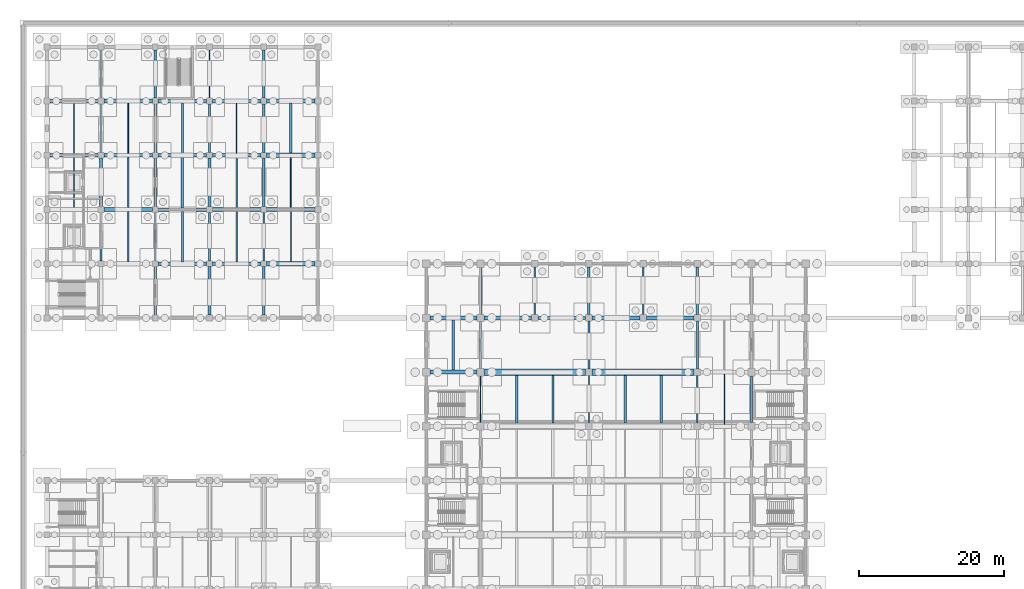
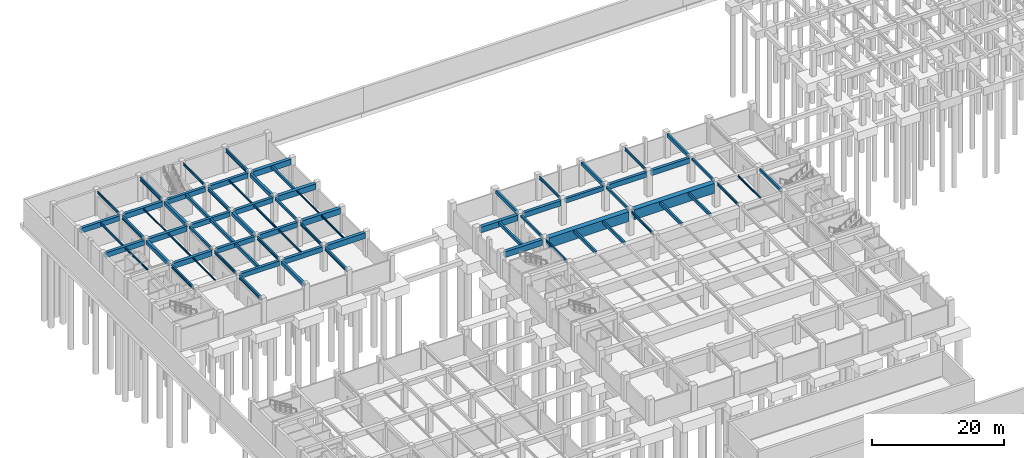
# One storey, part 17 of 38: 76 beams.
"""IFC4 building model written with IfcOpenShell, lengths in metres."""

from ifc_helpers import new_model, si_unit, direction, frame, origin, origin_2d, place, context, subcontext, project, spatial, rectangle, i_section, extrude, material, material_profile, profile_set, type_object, element, save


model = new_model("IFC4")

# Units and contexts
model_context = context("Model", 3, precision=1e-05, world=origin(), true_north=direction((0.0, 1.0)))
body_context = subcontext(model_context, "Body", "Model", "MODEL_VIEW")
ifc_project = project(units=[si_unit("LENGTHUNIT", "METRE"), si_unit("AREAUNIT", "SQUARE_METRE"), si_unit("VOLUMEUNIT", "CUBIC_METRE"), si_unit("PLANEANGLEUNIT", "RADIAN"), si_unit("MASSUNIT", "GRAM", prefix="KILO")], contexts=[model_context])

# Site, building, storey
site_placement = place(None, origin())
site = spatial("IfcSite", under=ifc_project, at=site_placement, CompositionType="ELEMENT")
building_placement = place(site_placement, origin())
building = spatial("IfcBuilding", under=site, at=building_placement, Name="Qasida Concert Hall", CompositionType="ELEMENT")
storey_placement = place(building_placement, frame((0.0, 0.0, -4.800048828125)))
storey = spatial("IfcBuildingStorey", under=building, at=storey_placement, Name="B1", CompositionType="ELEMENT", Elevation=-4.800048828125)

# Beams
ifc_material_1 = material(Name="Concrete C40/50", Category="concrete")
ifc_material_profile_1 = material_profile(ifc_material_1, rectangle(XDim=0.39990234375, YDim=0.64990234375, at=origin_2d()), Name="RC 400x650")
ifc_profile_set_1 = profile_set([ifc_material_profile_1], Name="Concrete C40/50")
beam_type_1 = type_object("IfcBeamType", Name="BM-B1", PredefinedType="BEAM", material=ifc_profile_set_1)
for number, where, z_axis, x_axis, name in (
    (1, (15.0, 97.89990234375, 4.175048828125), (0.0, 1.0, 0.0), (-1.0, 0.0, 0.0), "B1 girder 0324"),
    (2, (22.5, 75.39990234375, 4.175048828125), (0.0, 1.0, 0.0), (-1.0, 0.0, 0.0), "B1 girder 0326"),
    (3, (30.0, 97.89990234375, 4.175048828125), (0.0, 1.0, 0.0), (-1.0, 0.0, 0.0), "B1 girder 0334"),
):
    element("IfcBeam", number, at=place(storey_placement, frame(where, z_axis=z_axis, x_axis=x_axis)), inside=storey, type_object=beam_type_1, Name=name, PredefinedType="BEAM", context=body_context, shape_type="SweptSolid", body=[
        extrude(rectangle(XDim=0.39990234375, YDim=0.64990234375, at=origin_2d()), origin(), (0.0, 0.0, 1.0), 6.7001953125),
    ])
ifc_material_profile_2 = material_profile(ifc_material_1, rectangle(XDim=0.419921875, YDim=0.699951171875, at=origin_2d()), Name="RC 420x700")
ifc_profile_set_2 = profile_set([ifc_material_profile_2], Name="Concrete C40/50")
beam_type_2 = type_object("IfcBeamType", Name="BM-B11", PredefinedType="BEAM", material=ifc_profile_set_2)
for number, where, z_axis, x_axis, name in (
    (4, (7.5, 90.39990234375, 4.150146484375), (0.0, 1.0, 0.0), (-1.0, 0.0, 0.0), "B1 girder 0318"),
    (5, (22.5, 90.39990234375, 4.150146484375), (0.0, 1.0, 0.0), (-1.0, 0.0, 0.0), "B1 girder 0328"),
):
    element("IfcBeam", number, at=place(storey_placement, frame(where, z_axis=z_axis, x_axis=x_axis)), inside=storey, type_object=beam_type_2, Name=name, PredefinedType="BEAM", context=body_context, shape_type="SweptSolid", body=[
        extrude(rectangle(XDim=0.419921875, YDim=0.699951171875, at=origin_2d()), origin(), (0.0, 0.0, 1.0), 6.7001953125),
    ])
ifc_material_2 = material(Name="Steel S355J2", Category="steel")
ifc_material_profile_3 = material_profile(ifc_material_2, i_section(OverallWidth=0.300048828125, OverallDepth=0.550048828125, WebThickness=0.014892578125, FlangeThickness=0.029052734375, FilletRadius=0.027099609375, at=origin_2d()), Name="HEB 550")
ifc_profile_set_3 = profile_set([ifc_material_profile_3], Name="Steel S355J2")
beam_type_3 = type_object("IfcBeamType", Name="BM-B12", PredefinedType="BEAM", material=ifc_profile_set_3)
for number, where, z_axis, x_axis, name in (
    (6, (7.5, 82.89990234375, 4.22509765625), (0.0, 1.0, 0.0), (-1.0, 0.0, 0.0), "B1 girder 0317"),
    (7, (22.5, 82.89990234375, 4.22509765625), (0.0, 1.0, 0.0), (-1.0, 0.0, 0.0), "B1 girder 0327"),
):
    element("IfcBeam", number, at=place(storey_placement, frame(where, z_axis=z_axis, x_axis=x_axis)), inside=storey, type_object=beam_type_3, Name=name, PredefinedType="BEAM", context=body_context, shape_type="SweptSolid", body=[
        extrude(i_section(OverallWidth=0.300048828125, OverallDepth=0.550048828125, WebThickness=0.014892578125, FlangeThickness=0.029052734375, FilletRadius=0.027099609375, at=origin_2d()), origin(), (0.0, 0.0, 1.0), 6.7001953125),
    ])
ifc_material_profile_4 = material_profile(ifc_material_2, i_section(OverallWidth=0.300048828125, OverallDepth=0.64990234375, WebThickness=0.01611328125, FlangeThickness=0.031005859375, FilletRadius=0.027099609375, at=origin_2d()), Name="HEB 650")
ifc_profile_set_4 = profile_set([ifc_material_profile_4], Name="Steel S355J2")
beam_type_4 = type_object("IfcBeamType", Name="BM-B13", PredefinedType="BEAM", material=ifc_profile_set_4)
for number, where, z_axis, x_axis, name in (
    (8, (15.0, 105.39990234375, 4.175048828125), (0.0, 1.0, 0.0), (-1.0, 0.0, 0.0), "B1 girder 0325"),
    (9, (30.0, 105.39990234375, 4.175048828125), (0.0, 1.0, 0.0), (-1.0, 0.0, 0.0), "B1 girder 0335"),
):
    element("IfcBeam", number, at=place(storey_placement, frame(where, z_axis=z_axis, x_axis=x_axis)), inside=storey, type_object=beam_type_4, Name=name, PredefinedType="BEAM", context=body_context, shape_type="SweptSolid", body=[
        extrude(i_section(OverallWidth=0.300048828125, OverallDepth=0.64990234375, WebThickness=0.01611328125, FlangeThickness=0.031005859375, FilletRadius=0.027099609375, at=origin_2d()), origin(), (0.0, 0.0, 1.0), 6.7001953125),
    ])
ifc_material_profile_5 = material_profile(ifc_material_1, rectangle(XDim=0.35009765625, YDim=0.60009765625, at=origin_2d()), Name="RC 350x600")
ifc_profile_set_5 = profile_set([ifc_material_profile_5], Name="Concrete C40/50")
beam_type_5 = type_object("IfcBeamType", Name="BM-B2", PredefinedType="BEAM", material=ifc_profile_set_5)
beam_1_placement = place(storey_placement, frame((60.0, 75.5, 4.199951171875), z_axis=(0.0, 1.0, 0.0), x_axis=(-1.0, 0.0, 0.0)))
element("IfcBeam", 10, at=beam_1_placement, inside=storey, type_object=beam_type_5, Name="B1 girder 0047", PredefinedType="BEAM", context=body_context, shape_type="SweptSolid", body=[
    extrude(rectangle(XDim=0.35009765625, YDim=0.60009765625, at=origin_2d()), origin(), (0.0, 0.0, 1.0), 6.5),
])
for number, where, z_axis, x_axis, name in (
    (11, (75.0, 75.449951171875, 4.199951171875), (0.0, 1.0, 0.0), (-1.0, 0.0, 0.0), "B1 girder 0057"),
    (12, (90.0, 75.449951171875, 4.199951171875), (0.0, 1.0, 0.0), (-1.0, 0.0, 0.0), "B1 girder 0067"),
):
    element("IfcBeam", number, at=place(storey_placement, frame(where, z_axis=z_axis, x_axis=x_axis)), inside=storey, type_object=beam_type_5, Name=name, PredefinedType="BEAM", context=body_context, shape_type="SweptSolid", body=[
        extrude(rectangle(XDim=0.35009765625, YDim=0.60009765625, at=origin_2d()), origin(), (0.0, 0.0, 1.0), 6.60009765625),
    ])
ifc_material_profile_6 = material_profile(ifc_material_1, rectangle(XDim=0.300048828125, YDim=0.449951171875, at=origin_2d()), Name="RC 300x450")
ifc_profile_set_6 = profile_set([ifc_material_profile_6], Name="Concrete C40/50")
beam_type_6 = type_object("IfcBeamType", Name="BM-B3", PredefinedType="BEAM", material=ifc_profile_set_6)
beam_2_placement = place(storey_placement, frame((60.0, 68.0, 4.275146484375), z_axis=(0.0, 1.0, 0.0), x_axis=(-1.0, 0.0, 0.0)))
element("IfcBeam", 13, at=beam_2_placement, inside=storey, type_object=beam_type_6, Name="B1 girder 0046", PredefinedType="BEAM", context=body_context, shape_type="SweptSolid", body=[
    extrude(rectangle(XDim=0.300048828125, YDim=0.449951171875, at=origin_2d()), origin(), (0.0, 0.0, 1.0), 6.5),
])
for number, where, z_axis, x_axis, name in (
    (14, (75.0, 67.949951171875, 4.275146484375), (0.0, 1.0, 0.0), (-1.0, 0.0, 0.0), "B1 girder 0056"),
    (15, (90.0, 67.949951171875, 4.275146484375), (0.0, 1.0, 0.0), (-1.0, 0.0, 0.0), "B1 girder 0066"),
):
    element("IfcBeam", number, at=place(storey_placement, frame(where, z_axis=z_axis, x_axis=x_axis)), inside=storey, type_object=beam_type_6, Name=name, PredefinedType="BEAM", context=body_context, shape_type="SweptSolid", body=[
        extrude(rectangle(XDim=0.300048828125, YDim=0.449951171875, at=origin_2d()), origin(), (0.0, 0.0, 1.0), 6.60009765625),
    ])
beam_3_placement = place(storey_placement, frame((97.5, 60.5, 4.275146484375), z_axis=(0.0, 1.0, 0.0), x_axis=(-1.0, 0.0, 0.0)))
element("IfcBeam", 16, at=beam_3_placement, inside=storey, type_object=beam_type_6, Name="B1 girder 0073", PredefinedType="BEAM", context=body_context, shape_type="SweptSolid", body=[
    extrude(rectangle(XDim=0.300048828125, YDim=0.449951171875, at=origin_2d()), origin(), (0.0, 0.0, 1.0), 6.5),
])
for number, where, z_axis, x_axis, name in (
    (17, (15.0, 90.39990234375, 4.275146484375), (0.0, 1.0, 0.0), (-1.0, 0.0, 0.0), "B1 girder 0323"),
    (18, (30.0, 90.39990234375, 4.275146484375), (0.0, 1.0, 0.0), (-1.0, 0.0, 0.0), "B1 girder 0333"),
):
    element("IfcBeam", number, at=place(storey_placement, frame(where, z_axis=z_axis, x_axis=x_axis)), inside=storey, type_object=beam_type_6, Name=name, PredefinedType="BEAM", context=body_context, shape_type="SweptSolid", body=[
        extrude(rectangle(XDim=0.300048828125, YDim=0.449951171875, at=origin_2d()), origin(), (0.0, 0.0, 1.0), 6.7001953125),
    ])
ifc_material_profile_7 = material_profile(ifc_material_2, i_section(OverallWidth=0.199951171875, OverallDepth=0.5, WebThickness=0.01025390625, FlangeThickness=0.01611328125, FilletRadius=0.02099609375, at=origin_2d()), Name="IPE 500")
ifc_profile_set_7 = profile_set([ifc_material_profile_7], Name="Steel S355J2")
beam_type_7 = type_object("IfcBeamType", Name="BM-B4", PredefinedType="BEAM", material=ifc_profile_set_7)
for number, where, z_axis, x_axis, name in (
    (19, (67.5, 75.449951171875, 4.25), (0.0, 1.0, 0.0), (-1.0, 0.0, 0.0), "B1 girder 0049"),
    (20, (82.5, 75.449951171875, 4.25), (0.0, 1.0, 0.0), (-1.0, 0.0, 0.0), "B1 girder 0059"),
):
    element("IfcBeam", number, at=place(storey_placement, frame(where, z_axis=z_axis, x_axis=x_axis)), inside=storey, type_object=beam_type_7, Name=name, PredefinedType="BEAM", context=body_context, shape_type="SweptSolid", body=[
        extrude(i_section(OverallWidth=0.199951171875, OverallDepth=0.5, WebThickness=0.01025390625, FlangeThickness=0.01611328125, FilletRadius=0.02099609375, at=origin_2d()), origin(), (0.0, 0.0, 1.0), 6.60009765625),
    ])
for number, where, z_axis, x_axis, name in (
    (21, (15.0, 82.89990234375, 4.25), (0.0, 1.0, 0.0), (-1.0, 0.0, 0.0), "B1 girder 0322"),
    (22, (30.0, 82.89990234375, 4.25), (0.0, 1.0, 0.0), (-1.0, 0.0, 0.0), "B1 girder 0332"),
):
    element("IfcBeam", number, at=place(storey_placement, frame(where, z_axis=z_axis, x_axis=x_axis)), inside=storey, type_object=beam_type_7, Name=name, PredefinedType="BEAM", context=body_context, shape_type="SweptSolid", body=[
        extrude(i_section(OverallWidth=0.199951171875, OverallDepth=0.5, WebThickness=0.01025390625, FlangeThickness=0.01611328125, FilletRadius=0.02099609375, at=origin_2d()), origin(), (0.0, 0.0, 1.0), 6.7001953125),
    ])
ifc_material_profile_8 = material_profile(ifc_material_2, i_section(OverallWidth=0.18994140625, OverallDepth=0.449951171875, WebThickness=0.009521484375, FlangeThickness=0.0146484375, FilletRadius=0.02099609375, at=origin_2d()), Name="IPE 450")
ifc_profile_set_8 = profile_set([ifc_material_profile_8], Name="Steel S355J2")
beam_type_8 = type_object("IfcBeamType", Name="BM-B5", PredefinedType="BEAM", material=ifc_profile_set_8)
beam_4_placement = place(storey_placement, frame((60.0, 60.5, 4.275146484375), z_axis=(0.0, 1.0, 0.0), x_axis=(-1.0, 0.0, 0.0)))
element("IfcBeam", 23, at=beam_4_placement, inside=storey, type_object=beam_type_8, Name="B1 girder 0045", PredefinedType="BEAM", context=body_context, shape_type="SweptSolid", body=[
    extrude(i_section(OverallWidth=0.18994140625, OverallDepth=0.449951171875, WebThickness=0.009521484375, FlangeThickness=0.0146484375, FilletRadius=0.02099609375, at=origin_2d()), origin(), (0.0, 0.0, 1.0), 6.5),
])
for number, where, z_axis, x_axis, name in (
    (24, (75.0, 60.449951171875, 4.275146484375), (0.0, 1.0, 0.0), (-1.0, 0.0, 0.0), "B1 girder 0055"),
    (25, (90.0, 60.449951171875, 4.275146484375), (0.0, 1.0, 0.0), (-1.0, 0.0, 0.0), "B1 girder 0065"),
):
    element("IfcBeam", number, at=place(storey_placement, frame(where, z_axis=z_axis, x_axis=x_axis)), inside=storey, type_object=beam_type_8, Name=name, PredefinedType="BEAM", context=body_context, shape_type="SweptSolid", body=[
        extrude(i_section(OverallWidth=0.18994140625, OverallDepth=0.449951171875, WebThickness=0.009521484375, FlangeThickness=0.0146484375, FilletRadius=0.02099609375, at=origin_2d()), origin(), (0.0, 0.0, 1.0), 6.60009765625),
    ])
for number, where, z_axis, x_axis, name in (
    (26, (7.5, 105.39990234375, 4.275146484375), (0.0, 1.0, 0.0), (-1.0, 0.0, 0.0), "B1 girder 0320"),
    (27, (22.5, 105.39990234375, 4.275146484375), (0.0, 1.0, 0.0), (-1.0, 0.0, 0.0), "B1 girder 0330"),
):
    element("IfcBeam", number, at=place(storey_placement, frame(where, z_axis=z_axis, x_axis=x_axis)), inside=storey, type_object=beam_type_8, Name=name, PredefinedType="BEAM", context=body_context, shape_type="SweptSolid", body=[
        extrude(i_section(OverallWidth=0.18994140625, OverallDepth=0.449951171875, WebThickness=0.009521484375, FlangeThickness=0.0146484375, FilletRadius=0.02099609375, at=origin_2d()), origin(), (0.0, 0.0, 1.0), 6.7001953125),
    ])
ifc_material_profile_9 = material_profile(ifc_material_2, i_section(OverallWidth=0.300048828125, OverallDepth=0.60009765625, WebThickness=0.015380859375, FlangeThickness=0.030029296875, FilletRadius=0.027099609375, at=origin_2d()), Name="HEB 600")
ifc_profile_set_9 = profile_set([ifc_material_profile_9], Name="Steel S355J2")
beam_type_9 = type_object("IfcBeamType", Name="BM-B6", PredefinedType="BEAM", material=ifc_profile_set_9)
for number, where, z_axis, x_axis, name in (
    (28, (7.5, 97.89990234375, 4.199951171875), (0.0, 1.0, 0.0), (-1.0, 0.0, 0.0), "B1 girder 0319"),
    (29, (15.0, 75.39990234375, 4.199951171875), (0.0, 1.0, 0.0), (-1.0, 0.0, 0.0), "B1 girder 0321"),
    (30, (22.5, 97.89990234375, 4.199951171875), (0.0, 1.0, 0.0), (-1.0, 0.0, 0.0), "B1 girder 0329"),
    (31, (30.0, 75.39990234375, 4.199951171875), (0.0, 1.0, 0.0), (-1.0, 0.0, 0.0), "B1 girder 0331"),
):
    element("IfcBeam", number, at=place(storey_placement, frame(where, z_axis=z_axis, x_axis=x_axis)), inside=storey, type_object=beam_type_9, Name=name, PredefinedType="BEAM", context=body_context, shape_type="SweptSolid", body=[
        extrude(i_section(OverallWidth=0.300048828125, OverallDepth=0.60009765625, WebThickness=0.015380859375, FlangeThickness=0.030029296875, FilletRadius=0.027099609375, at=origin_2d()), origin(), (0.0, 0.0, 1.0), 6.7001953125),
    ])
ifc_material_profile_10 = material_profile(ifc_material_1, rectangle(XDim=0.5, YDim=0.89990234375, at=origin_2d()), Name="RC 500x900")
ifc_profile_set_10 = profile_set([ifc_material_profile_10], Name="Concrete C40/50")
beam_type_10 = type_object("IfcBeamType", Name="BM-G1", PredefinedType="USERDEFINED", material=ifc_profile_set_10)
beam_5_placement = place(storey_placement, frame((75.449951171875, 75.0, 4.050048828125), z_axis=(1.0, 0.0, 0.0), x_axis=(0.0, 1.0, 0.0)))
element("IfcBeam", 32, at=beam_5_placement, inside=storey, type_object=beam_type_10, Name="Primary girder 0036", ObjectType="GIRDER", PredefinedType="USERDEFINED", context=body_context, shape_type="SweptSolid", body=[
    extrude(rectangle(XDim=0.5, YDim=0.89990234375, at=origin_2d()), origin(), (0.0, 0.0, 1.0), 6.60009765625),
])
for number, where, z_axis, x_axis, name in (
    (33, (22.89990234375, 82.5, 4.050048828125), (1.0, 0.0, 0.0), (0.0, 1.0, 0.0), "Primary girder 0299"),
    (34, (22.89990234375, 90.0, 4.050048828125), (1.0, 0.0, 0.0), (0.0, 1.0, 0.0), "Primary girder 0304"),
    (35, (0.39990234375, 97.5, 4.050048828125), (1.0, 0.0, 0.0), (0.0, 1.0, 0.0), "Primary girder 0306"),
    (36, (22.89990234375, 97.5, 4.050048828125), (1.0, 0.0, 0.0), (0.0, 1.0, 0.0), "Primary girder 0309"),
    (37, (0.39990234375, 105.0, 4.050048828125), (1.0, 0.0, 0.0), (0.0, 1.0, 0.0), "Primary girder 0311"),
    (38, (22.89990234375, 105.0, 4.050048828125), (1.0, 0.0, 0.0), (0.0, 1.0, 0.0), "Primary girder 0314"),
):
    element("IfcBeam", number, at=place(storey_placement, frame(where, z_axis=z_axis, x_axis=x_axis)), inside=storey, type_object=beam_type_10, Name=name, ObjectType="GIRDER", PredefinedType="USERDEFINED", context=body_context, shape_type="SweptSolid", body=[
        extrude(rectangle(XDim=0.5, YDim=0.89990234375, at=origin_2d()), origin(), (0.0, 0.0, 1.0), 6.7001953125),
    ])
ifc_material_profile_11 = material_profile(ifc_material_1, rectangle(XDim=0.449951171875, YDim=0.800048828125, at=origin_2d()), Name="RC 450x800")
ifc_profile_set_11 = profile_set([ifc_material_profile_11], Name="Concrete C40/50")
beam_type_11 = type_object("IfcBeamType", Name="BM-G2", PredefinedType="USERDEFINED", material=ifc_profile_set_11)
beam_6_placement = place(storey_placement, frame((67.949951171875, 75.0, 4.10009765625), z_axis=(1.0, 0.0, 0.0), x_axis=(0.0, 1.0, 0.0)))
element("IfcBeam", 39, at=beam_6_placement, inside=storey, type_object=beam_type_11, Name="Primary girder 0035", ObjectType="GIRDER", PredefinedType="USERDEFINED", context=body_context, shape_type="SweptSolid", body=[
    extrude(rectangle(XDim=0.449951171875, YDim=0.800048828125, at=origin_2d()), origin(), (0.0, 0.0, 1.0), 6.60009765625),
])
ifc_material_profile_12 = material_profile(ifc_material_1, rectangle(XDim=0.47998046875, YDim=0.85009765625, at=origin_2d()), Name="RC 480x850")
ifc_profile_set_12 = profile_set([ifc_material_profile_12], Name="Concrete C40/50")
beam_type_12 = type_object("IfcBeamType", Name="BM-G6", PredefinedType="USERDEFINED", material=ifc_profile_set_12)
for number, where, z_axis, x_axis, name in (
    (40, (15.39990234375, 82.5, 4.074951171875), (1.0, 0.0, 0.0), (0.0, 1.0, 0.0), "Primary girder 0298"),
    (41, (15.39990234375, 90.0, 4.074951171875), (1.0, 0.0, 0.0), (0.0, 1.0, 0.0), "Primary girder 0303"),
    (42, (15.39990234375, 97.5, 4.074951171875), (1.0, 0.0, 0.0), (0.0, 1.0, 0.0), "Primary girder 0308"),
    (43, (15.39990234375, 105.0, 4.074951171875), (1.0, 0.0, 0.0), (0.0, 1.0, 0.0), "Primary girder 0313"),
):
    element("IfcBeam", number, at=place(storey_placement, frame(where, z_axis=z_axis, x_axis=x_axis)), inside=storey, type_object=beam_type_12, Name=name, ObjectType="GIRDER", PredefinedType="USERDEFINED", context=body_context, shape_type="SweptSolid", body=[
        extrude(rectangle(XDim=0.47998046875, YDim=0.85009765625, at=origin_2d()), origin(), (0.0, 0.0, 1.0), 6.7001953125),
    ])
ifc_material_profile_13 = material_profile(ifc_material_1, rectangle(XDim=0.52001953125, YDim=0.949951171875, at=origin_2d()), Name="RC 520x950")
ifc_profile_set_13 = profile_set([ifc_material_profile_13], Name="Concrete C40/50")
beam_type_13 = type_object("IfcBeamType", Name="BM-G7", PredefinedType="USERDEFINED", material=ifc_profile_set_13)
beam_7_placement = place(storey_placement, frame((60.5, 75.0, 4.025146484375), z_axis=(1.0, 0.0, 0.0), x_axis=(0.0, 1.0, 0.0)))
element("IfcBeam", 44, at=beam_7_placement, inside=storey, type_object=beam_type_13, Name="Primary girder 0034", ObjectType="GIRDER", PredefinedType="USERDEFINED", context=body_context, shape_type="SweptSolid", body=[
    extrude(rectangle(XDim=0.52001953125, YDim=0.949951171875, at=origin_2d()), origin(), (0.0, 0.0, 1.0), 6.550048828125),
])
beam_8_placement = place(storey_placement, frame((82.949951171875, 75.0, 4.025146484375), z_axis=(1.0, 0.0, 0.0), x_axis=(0.0, 1.0, 0.0)))
element("IfcBeam", 45, at=beam_8_placement, inside=storey, type_object=beam_type_13, Name="Primary girder 0037", ObjectType="GIRDER", PredefinedType="USERDEFINED", context=body_context, shape_type="SweptSolid", body=[
    extrude(rectangle(XDim=0.52001953125, YDim=0.949951171875, at=origin_2d()), origin(), (0.0, 0.0, 1.0), 6.60009765625),
])
for number, where, z_axis, x_axis, name in (
    (46, (7.89990234375, 90.0, 4.025146484375), (1.0, 0.0, 0.0), (0.0, 1.0, 0.0), "Primary girder 0302"),
    (47, (7.89990234375, 97.5, 4.025146484375), (1.0, 0.0, 0.0), (0.0, 1.0, 0.0), "Primary girder 0307"),
    (48, (7.89990234375, 105.0, 4.025146484375), (1.0, 0.0, 0.0), (0.0, 1.0, 0.0), "Primary girder 0312"),
):
    element("IfcBeam", number, at=place(storey_placement, frame(where, z_axis=z_axis, x_axis=x_axis)), inside=storey, type_object=beam_type_13, Name=name, ObjectType="GIRDER", PredefinedType="USERDEFINED", context=body_context, shape_type="SweptSolid", body=[
        extrude(rectangle(XDim=0.52001953125, YDim=0.949951171875, at=origin_2d()), origin(), (0.0, 0.0, 1.0), 6.7001953125),
    ])
ifc_material_3 = material(Name="Concrete C50/60", Category="concrete")
ifc_material_profile_14 = material_profile(ifc_material_3, rectangle(XDim=0.580078125, YDim=1.050048828125, at=origin_2d()), Name="RC 580x1050")
ifc_profile_set_14 = profile_set([ifc_material_profile_14], Name="Concrete C50/60")
beam_type_14 = type_object("IfcBeamType", Name="BM-G8", PredefinedType="USERDEFINED", material=ifc_profile_set_14)
for number, where, z_axis, x_axis, name in (
    (49, (53.0, 67.5, 3.97509765625), (1.0, 0.0, 0.0), (0.0, 1.0, 0.0), "Primary girder 0028"),
    (50, (53.0, 75.0, 3.97509765625), (1.0, 0.0, 0.0), (0.0, 1.0, 0.0), "Primary girder 0033"),
):
    element("IfcBeam", number, at=place(storey_placement, frame(where, z_axis=z_axis, x_axis=x_axis)), inside=storey, type_object=beam_type_14, Name=name, ObjectType="GIRDER", PredefinedType="USERDEFINED", context=body_context, shape_type="SweptSolid", body=[
        extrude(rectangle(XDim=0.580078125, YDim=1.050048828125, at=origin_2d()), origin(), (0.0, 0.0, 1.0), 6.5),
    ])
for number, where, z_axis, x_axis, name in (
    (51, (30.39990234375, 82.5, 3.97509765625), (1.0, 0.0, 0.0), (0.0, 1.0, 0.0), "Primary girder 0300"),
    (52, (30.39990234375, 90.0, 3.97509765625), (1.0, 0.0, 0.0), (0.0, 1.0, 0.0), "Primary girder 0305"),
    (53, (30.39990234375, 97.5, 3.97509765625), (1.0, 0.0, 0.0), (0.0, 1.0, 0.0), "Primary girder 0310"),
    (54, (30.39990234375, 105.0, 3.97509765625), (1.0, 0.0, 0.0), (0.0, 1.0, 0.0), "Primary girder 0315"),
):
    element("IfcBeam", number, at=place(storey_placement, frame(where, z_axis=z_axis, x_axis=x_axis)), inside=storey, type_object=beam_type_14, Name=name, ObjectType="GIRDER", PredefinedType="USERDEFINED", context=body_context, shape_type="SweptSolid", body=[
        extrude(rectangle(XDim=0.580078125, YDim=1.050048828125, at=origin_2d()), origin(), (0.0, 0.0, 1.0), 6.7001953125),
    ])
ifc_material_profile_15 = material_profile(ifc_material_1, rectangle(XDim=0.300048828125, YDim=0.550048828125, at=origin_2d()), Name="RC 300x550")
ifc_profile_set_15 = profile_set([ifc_material_profile_15], Name="Concrete C40/50")
beam_type_15 = type_object("IfcBeamType", Name="BM-J1", PredefinedType="JOIST", material=ifc_profile_set_15)
for number, where, z_axis, x_axis, name in (
    (55, (70.0, 60.449951171875, 4.22509765625), (0.0, 1.0, 0.0), (-1.0, 0.0, 0.0), "B1 secondary joist 0087"),
    (56, (85.0, 60.449951171875, 4.22509765625), (0.0, 1.0, 0.0), (-1.0, 0.0, 0.0), "B1 secondary joist 0095"),
):
    element("IfcBeam", number, at=place(storey_placement, frame(where, z_axis=z_axis, x_axis=x_axis)), inside=storey, type_object=beam_type_15, Name=name, PredefinedType="JOIST", context=body_context, shape_type="SweptSolid", body=[
        extrude(rectangle(XDim=0.300048828125, YDim=0.550048828125, at=origin_2d()), origin(), (0.0, 0.0, 1.0), 6.60009765625),
    ])
beam_9_placement = place(storey_placement, frame((18.75, 97.739990234375, 4.22509765625), z_axis=(0.0, 1.0, 0.0), x_axis=(-1.0, 0.0, 0.0)))
element("IfcBeam", 57, at=beam_9_placement, inside=storey, type_object=beam_type_15, Name="B1 secondary joist 0344", PredefinedType="JOIST", context=body_context, shape_type="SweptSolid", body=[
    extrude(rectangle(XDim=0.300048828125, YDim=0.550048828125, at=origin_2d()), origin(), (0.0, 0.0, 1.0), 7.02001953125),
])
ifc_material_profile_16 = material_profile(ifc_material_2, i_section(OverallWidth=0.169921875, OverallDepth=0.360107421875, WebThickness=0.008056640625, FlangeThickness=0.0126953125, FilletRadius=0.01806640625, at=origin_2d()), Name="IPE 360")
ifc_profile_set_16 = profile_set([ifc_material_profile_16], Name="Steel S355J2")
beam_type_16 = type_object("IfcBeamType", Name="BM-J2", PredefinedType="JOIST", material=ifc_profile_set_16)
for number, where, z_axis, x_axis, name in (
    (58, (3.75, 90.25, 4.320068359375), (0.0, 1.0, 0.0), (-1.0, 0.0, 0.0), "B1 secondary joist 0337"),
    (59, (26.25, 82.75, 4.320068359375), (0.0, 1.0, 0.0), (-1.0, 0.0, 0.0), "B1 secondary joist 0345"),
):
    element("IfcBeam", number, at=place(storey_placement, frame(where, z_axis=z_axis, x_axis=x_axis)), inside=storey, type_object=beam_type_16, Name=name, PredefinedType="JOIST", context=body_context, shape_type="SweptSolid", body=[
        extrude(i_section(OverallWidth=0.169921875, OverallDepth=0.360107421875, WebThickness=0.008056640625, FlangeThickness=0.0126953125, FilletRadius=0.01806640625, at=origin_2d()), origin(), (0.0, 0.0, 1.0), 7.0),
    ])
ifc_material_profile_17 = material_profile(ifc_material_2, i_section(OverallWidth=0.179931640625, OverallDepth=0.39990234375, WebThickness=0.008544921875, FlangeThickness=0.013427734375, FilletRadius=0.02099609375, at=origin_2d()), Name="IPE 400")
ifc_profile_set_17 = profile_set([ifc_material_profile_17], Name="Steel S355J2")
beam_type_17 = type_object("IfcBeamType", Name="BM-J3", PredefinedType="JOIST", material=ifc_profile_set_17)
for number, where, z_axis, x_axis, name in (
    (60, (3.75, 97.75, 4.300048828125), (0.0, 1.0, 0.0), (-1.0, 0.0, 0.0), "B1 secondary joist 0338"),
    (61, (26.25, 90.25, 4.300048828125), (0.0, 1.0, 0.0), (-1.0, 0.0, 0.0), "B1 secondary joist 0346"),
):
    element("IfcBeam", number, at=place(storey_placement, frame(where, z_axis=z_axis, x_axis=x_axis)), inside=storey, type_object=beam_type_17, Name=name, PredefinedType="JOIST", context=body_context, shape_type="SweptSolid", body=[
        extrude(i_section(OverallWidth=0.179931640625, OverallDepth=0.39990234375, WebThickness=0.008544921875, FlangeThickness=0.013427734375, FilletRadius=0.02099609375, at=origin_2d()), origin(), (0.0, 0.0, 1.0), 7.0),
    ])
ifc_material_profile_18 = material_profile(ifc_material_2, i_section(OverallWidth=0.14990234375, OverallDepth=0.300048828125, WebThickness=0.007080078125, FlangeThickness=0.0107421875, FilletRadius=0.014892578125, at=origin_2d()), Name="IPE 300")
ifc_profile_set_18 = profile_set([ifc_material_profile_18], Name="Steel S355J2")
beam_type_18 = type_object("IfcBeamType", Name="BM-J4", PredefinedType="JOIST", material=ifc_profile_set_18)
beam_10_placement = place(storey_placement, frame((11.25, 82.760009765625, 4.35009765625), z_axis=(0.0, 1.0, 0.0), x_axis=(-1.0, 0.0, 0.0)))
element("IfcBeam", 62, at=beam_10_placement, inside=storey, type_object=beam_type_18, Name="B1 secondary joist 0339", PredefinedType="JOIST", context=body_context, shape_type="SweptSolid", body=[
    extrude(i_section(OverallWidth=0.14990234375, OverallDepth=0.300048828125, WebThickness=0.007080078125, FlangeThickness=0.0107421875, FilletRadius=0.014892578125, at=origin_2d()), origin(), (0.0, 0.0, 1.0), 6.97998046875),
])
beam_11_placement = place(storey_placement, frame((26.25, 97.75, 4.35009765625), z_axis=(0.0, 1.0, 0.0), x_axis=(-1.0, 0.0, 0.0)))
element("IfcBeam", 63, at=beam_11_placement, inside=storey, type_object=beam_type_18, Name="B1 secondary joist 0347", PredefinedType="JOIST", context=body_context, shape_type="SweptSolid", body=[
    extrude(i_section(OverallWidth=0.14990234375, OverallDepth=0.300048828125, WebThickness=0.007080078125, FlangeThickness=0.0107421875, FilletRadius=0.014892578125, at=origin_2d()), origin(), (0.0, 0.0, 1.0), 7.0),
])
ifc_material_profile_19 = material_profile(ifc_material_2, i_section(OverallWidth=0.159912109375, OverallDepth=0.330078125, WebThickness=0.007568359375, FlangeThickness=0.011474609375, FilletRadius=0.01806640625, at=origin_2d()), Name="IPE 330")
ifc_profile_set_19 = profile_set([ifc_material_profile_19], Name="Steel S355J2")
beam_type_19 = type_object("IfcBeamType", Name="BM-J5", PredefinedType="JOIST", material=ifc_profile_set_19)
beam_12_placement = place(storey_placement, frame((93.75, 60.25, 4.3349609375), z_axis=(0.0, 1.0, 0.0), x_axis=(-1.0, 0.0, 0.0)))
element("IfcBeam", 64, at=beam_12_placement, inside=storey, type_object=beam_type_19, Name="B1 secondary joist 0100", PredefinedType="JOIST", context=body_context, shape_type="SweptSolid", body=[
    extrude(i_section(OverallWidth=0.159912109375, OverallDepth=0.330078125, WebThickness=0.007568359375, FlangeThickness=0.011474609375, FilletRadius=0.01806640625, at=origin_2d()), origin(), (0.0, 0.0, 1.0), 7.0),
])
beam_13_placement = place(storey_placement, frame((11.25, 90.260009765625, 4.3349609375), z_axis=(0.0, 1.0, 0.0), x_axis=(-1.0, 0.0, 0.0)))
element("IfcBeam", 65, at=beam_13_placement, inside=storey, type_object=beam_type_19, Name="B1 secondary joist 0340", PredefinedType="JOIST", context=body_context, shape_type="SweptSolid", body=[
    extrude(i_section(OverallWidth=0.159912109375, OverallDepth=0.330078125, WebThickness=0.007568359375, FlangeThickness=0.011474609375, FilletRadius=0.01806640625, at=origin_2d()), origin(), (0.0, 0.0, 1.0), 6.97998046875),
])
beam_14_placement = place(storey_placement, frame((33.75, 82.7900390625, 4.3349609375), z_axis=(0.0, 1.0, 0.0), x_axis=(-1.0, 0.0, 0.0)))
element("IfcBeam", 66, at=beam_14_placement, inside=storey, type_object=beam_type_19, Name="B1 secondary joist 0348", PredefinedType="JOIST", context=body_context, shape_type="SweptSolid", body=[
    extrude(i_section(OverallWidth=0.159912109375, OverallDepth=0.330078125, WebThickness=0.007568359375, FlangeThickness=0.011474609375, FilletRadius=0.01806640625, at=origin_2d()), origin(), (0.0, 0.0, 1.0), 6.919921875),
])
ifc_material_profile_20 = material_profile(ifc_material_2, i_section(OverallWidth=0.135009765625, OverallDepth=0.27001953125, WebThickness=0.006591796875, FlangeThickness=0.01025390625, FilletRadius=0.014892578125, at=origin_2d()), Name="IPE 270")
ifc_profile_set_20 = profile_set([ifc_material_profile_20], Name="Steel S355J2")
beam_type_20 = type_object("IfcBeamType", Name="BM-J6", PredefinedType="JOIST", material=ifc_profile_set_20)
beam_15_placement = place(storey_placement, frame((11.25, 97.760009765625, 4.364990234375), z_axis=(0.0, 1.0, 0.0), x_axis=(-1.0, 0.0, 0.0)))
element("IfcBeam", 67, at=beam_15_placement, inside=storey, type_object=beam_type_20, Name="B1 secondary joist 0341", PredefinedType="JOIST", context=body_context, shape_type="SweptSolid", body=[
    extrude(i_section(OverallWidth=0.135009765625, OverallDepth=0.27001953125, WebThickness=0.006591796875, FlangeThickness=0.01025390625, FilletRadius=0.014892578125, at=origin_2d()), origin(), (0.0, 0.0, 1.0), 6.97998046875),
])
beam_16_placement = place(storey_placement, frame((33.75, 90.2900390625, 4.364990234375), z_axis=(0.0, 1.0, 0.0), x_axis=(-1.0, 0.0, 0.0)))
element("IfcBeam", 68, at=beam_16_placement, inside=storey, type_object=beam_type_20, Name="B1 secondary joist 0349", PredefinedType="JOIST", context=body_context, shape_type="SweptSolid", body=[
    extrude(i_section(OverallWidth=0.135009765625, OverallDepth=0.27001953125, WebThickness=0.006591796875, FlangeThickness=0.01025390625, FilletRadius=0.014892578125, at=origin_2d()), origin(), (0.0, 0.0, 1.0), 6.919921875),
])
ifc_material_profile_21 = material_profile(ifc_material_1, rectangle(XDim=0.320068359375, YDim=0.5, at=origin_2d()), Name="RC 320x500")
ifc_profile_set_21 = profile_set([ifc_material_profile_21], Name="Concrete C40/50")
beam_type_21 = type_object("IfcBeamType", Name="BM-J7", PredefinedType="JOIST", material=ifc_profile_set_21)
for number, where, z_axis, x_axis, name in (
    (69, (65.0, 60.449951171875, 4.25), (0.0, 1.0, 0.0), (-1.0, 0.0, 0.0), "B1 secondary joist 0086"),
    (70, (80.0, 60.449951171875, 4.25), (0.0, 1.0, 0.0), (-1.0, 0.0, 0.0), "B1 secondary joist 0094"),
):
    element("IfcBeam", number, at=place(storey_placement, frame(where, z_axis=z_axis, x_axis=x_axis)), inside=storey, type_object=beam_type_21, Name=name, PredefinedType="JOIST", context=body_context, shape_type="SweptSolid", body=[
        extrude(rectangle(XDim=0.320068359375, YDim=0.5, at=origin_2d()), origin(), (0.0, 0.0, 1.0), 6.60009765625),
    ])
beam_17_placement = place(storey_placement, frame((18.75, 82.739990234375, 4.25), z_axis=(0.0, 1.0, 0.0), x_axis=(-1.0, 0.0, 0.0)))
element("IfcBeam", 71, at=beam_17_placement, inside=storey, type_object=beam_type_21, Name="B1 secondary joist 0342", PredefinedType="JOIST", context=body_context, shape_type="SweptSolid", body=[
    extrude(rectangle(XDim=0.320068359375, YDim=0.5, at=origin_2d()), origin(), (0.0, 0.0, 1.0), 7.02001953125),
])
beam_18_placement = place(storey_placement, frame((33.75, 97.7900390625, 4.25), z_axis=(0.0, 1.0, 0.0), x_axis=(-1.0, 0.0, 0.0)))
element("IfcBeam", 72, at=beam_18_placement, inside=storey, type_object=beam_type_21, Name="B1 secondary joist 0350", PredefinedType="JOIST", context=body_context, shape_type="SweptSolid", body=[
    extrude(rectangle(XDim=0.320068359375, YDim=0.5, at=origin_2d()), origin(), (0.0, 0.0, 1.0), 6.919921875),
])
ifc_material_profile_22 = material_profile(ifc_material_1, rectangle(XDim=0.35009765625, YDim=0.550048828125, at=origin_2d()), Name="RC 350x550")
ifc_profile_set_22 = profile_set([ifc_material_profile_22], Name="Concrete C40/50")
beam_type_22 = type_object("IfcBeamType", Name="BM-J8", PredefinedType="JOIST", material=ifc_profile_set_22)
beam_19_placement = place(storey_placement, frame((56.25, 67.7900390625, 4.22509765625), z_axis=(0.0, 1.0, 0.0), x_axis=(-1.0, 0.0, 0.0)))
element("IfcBeam", 73, at=beam_19_placement, inside=storey, type_object=beam_type_22, Name="B1 secondary joist 0079", PredefinedType="JOIST", context=body_context, shape_type="SweptSolid", body=[
    extrude(rectangle(XDim=0.35009765625, YDim=0.550048828125, at=origin_2d()), origin(), (0.0, 0.0, 1.0), 6.919921875),
])
beam_20_placement = place(storey_placement, frame((18.75, 90.239990234375, 4.22509765625), z_axis=(0.0, 1.0, 0.0), x_axis=(-1.0, 0.0, 0.0)))
element("IfcBeam", 74, at=beam_20_placement, inside=storey, type_object=beam_type_22, Name="B1 secondary joist 0343", PredefinedType="JOIST", context=body_context, shape_type="SweptSolid", body=[
    extrude(rectangle(XDim=0.35009765625, YDim=0.550048828125, at=origin_2d()), origin(), (0.0, 0.0, 1.0), 7.02001953125),
])
ifc_material_profile_23 = material_profile(ifc_material_3, rectangle(XDim=0.89990234375, YDim=1.800048828125, at=origin_2d()), Name="RC 900x1800")
ifc_profile_set_23 = profile_set([ifc_material_profile_23], Name="Concrete C50/60")
beam_type_23 = type_object("IfcBeamType", Name="BM-TG1", PredefinedType="USERDEFINED", material=ifc_profile_set_23)
beam_21_placement = place(storey_placement, frame((60.5, 67.5, 3.60009765625), z_axis=(1.0, 0.0, 0.0), x_axis=(0.0, 1.0, 0.0)))
element("IfcBeam", 75, at=beam_21_placement, inside=storey, type_object=beam_type_23, Name="Transfer girder TG-0029", ObjectType="GIRDER", PredefinedType="USERDEFINED", context=body_context, shape_type="SweptSolid", body=[
    extrude(rectangle(XDim=0.89990234375, YDim=1.800048828125, at=origin_2d()), origin(), (0.0, 0.0, 1.0), 14.050048828125),
])
beam_22_placement = place(storey_placement, frame((75.449951171875, 67.5, 3.60009765625), z_axis=(1.0, 0.0, 0.0), x_axis=(0.0, 1.0, 0.0)))
element("IfcBeam", 76, at=beam_22_placement, inside=storey, type_object=beam_type_23, Name="Transfer girder TG-0030", ObjectType="GIRDER", PredefinedType="USERDEFINED", context=body_context, shape_type="SweptSolid", body=[
    extrude(rectangle(XDim=0.89990234375, YDim=1.800048828125, at=origin_2d()), origin(), (0.0, 0.0, 1.0), 14.10009765625),
])

save(model, "model.ifc")
